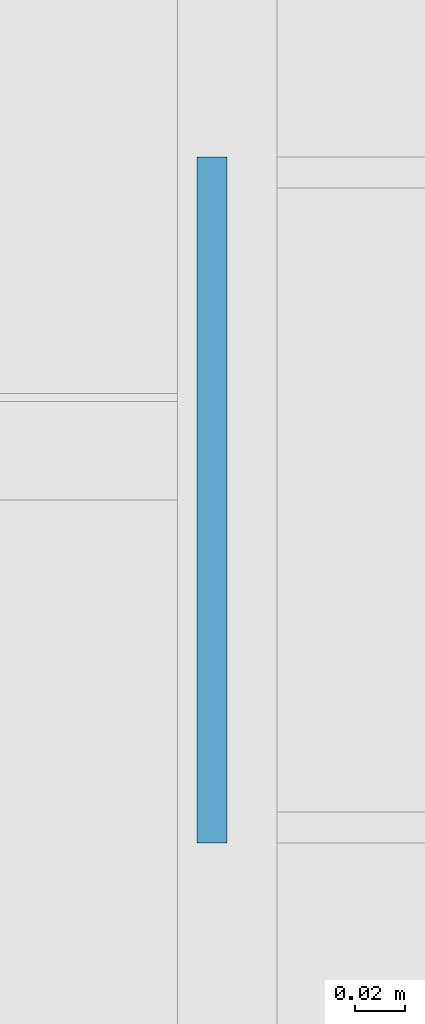
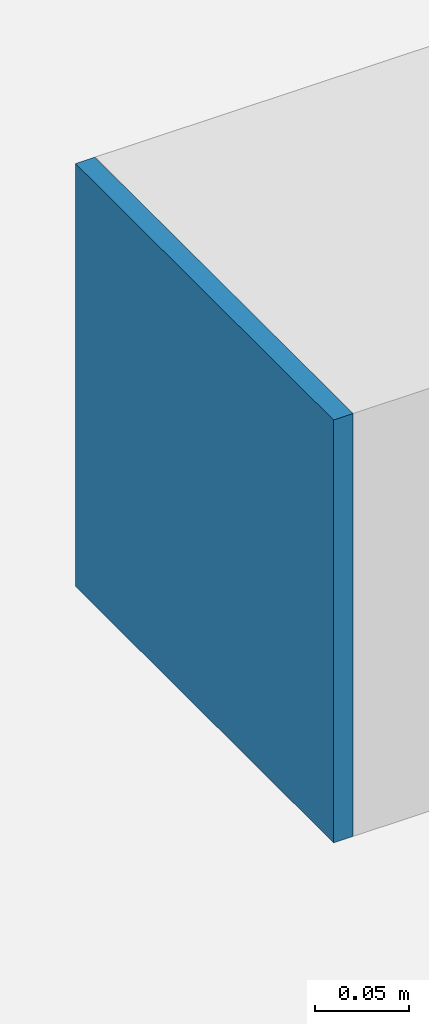
# One storey, part 43 of 56: 1 plate.
"""IFC4 building model written with IfcOpenShell, lengths in metres."""

from ifc_helpers import new_model, si_unit, direction, frame, origin, origin_2d, place, context, subcontext, project, spatial, rectangle, extrude, source, transform, mapped, material, layer, layer_set, type_object, element, save


model = new_model("IFC4")

# Units and contexts
model_context = context("Model", 3, precision=1e-05, world=origin(), true_north=direction((0.0, 1.0)))
body_context = subcontext(model_context, "Body", "Model", "MODEL_VIEW")
ifc_project = project(units=[si_unit("LENGTHUNIT", "METRE"), si_unit("AREAUNIT", "SQUARE_METRE"), si_unit("VOLUMEUNIT", "CUBIC_METRE"), si_unit("PLANEANGLEUNIT", "RADIAN"), si_unit("MASSUNIT", "GRAM", prefix="KILO")], contexts=[model_context])

# Site, building, storey
site_placement = place(None, origin())
site = spatial("IfcSite", under=ifc_project, at=site_placement, CompositionType="ELEMENT")
building_placement = place(site_placement, origin())
building = spatial("IfcBuilding", under=site, at=building_placement, Name="Taldren Reach Tower", CompositionType="ELEMENT")
storey_placement = place(building_placement, frame((0.0, 0.0, 16.800048828125)))
storey = spatial("IfcBuildingStorey", under=building, at=storey_placement, Name="L04", CompositionType="ELEMENT", Elevation=16.800048828125)

# Plate
ifc_material = material(Name="Steel Gr 450 (C450L0)", Category="steel")
ifc_layer = layer(ifc_material, 0.011962890625)
ifc_layer_set = layer_set([ifc_layer], Name="Steel Gr 450 (C450L0)")
plate_type = type_object("IfcPlateType", Name="PL-CAP-275", PredefinedType="SHEET", material=ifc_layer_set)
shared_shape = source(origin(), body_context, "Body", "SweptSolid", [
    extrude(rectangle(XDim=0.011962890625, YDim=0.27490234375, at=origin_2d()), origin(), (0.0, 0.0, 1.0), 0.27490234375),
])
plate_placement = place(storey_placement, frame((4.093994140625, 20.0, 0.08251953125), z_axis=(0.0, 0.0, 1.0), x_axis=(1.0, 0.0, 0.0)))
element("IfcPlate", 1, at=plate_placement, inside=storey, type_object=plate_type, Name="Tie strut end cap plate B1-W2 L04", PredefinedType="SHEET", context=body_context, shape_type="MappedRepresentation", body=[
    mapped(shared_shape, transform((0.0, 0.0, 0.0), scale=1.0)),
])

save(model, "model.ifc")
